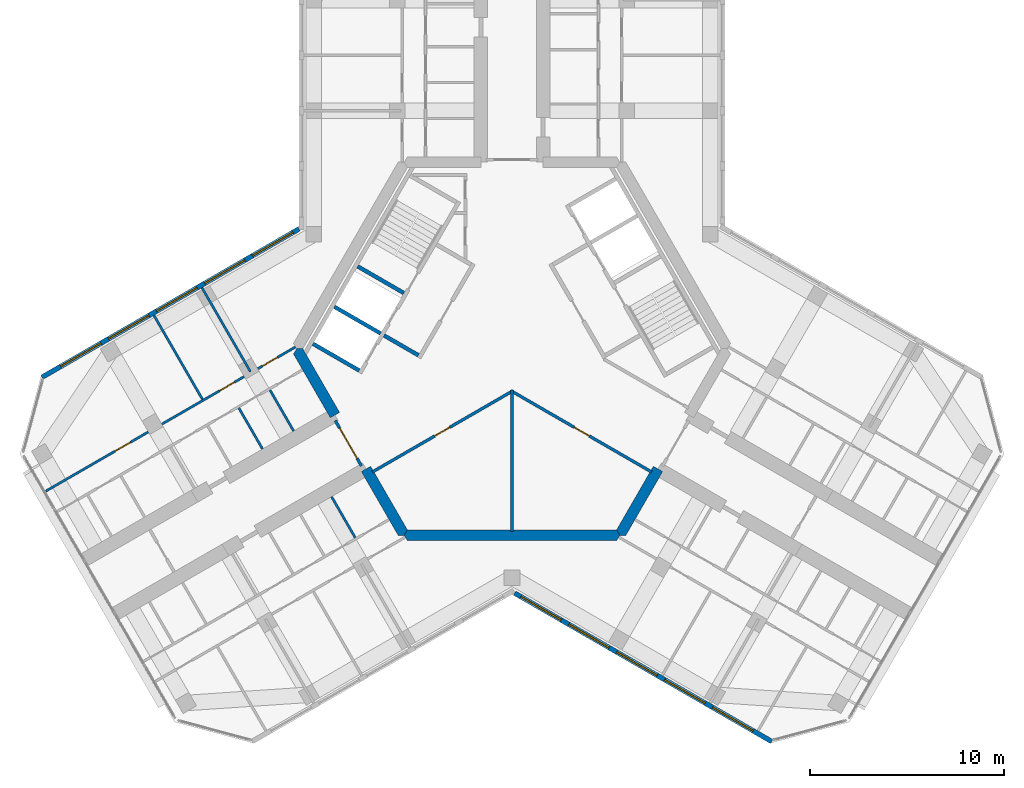
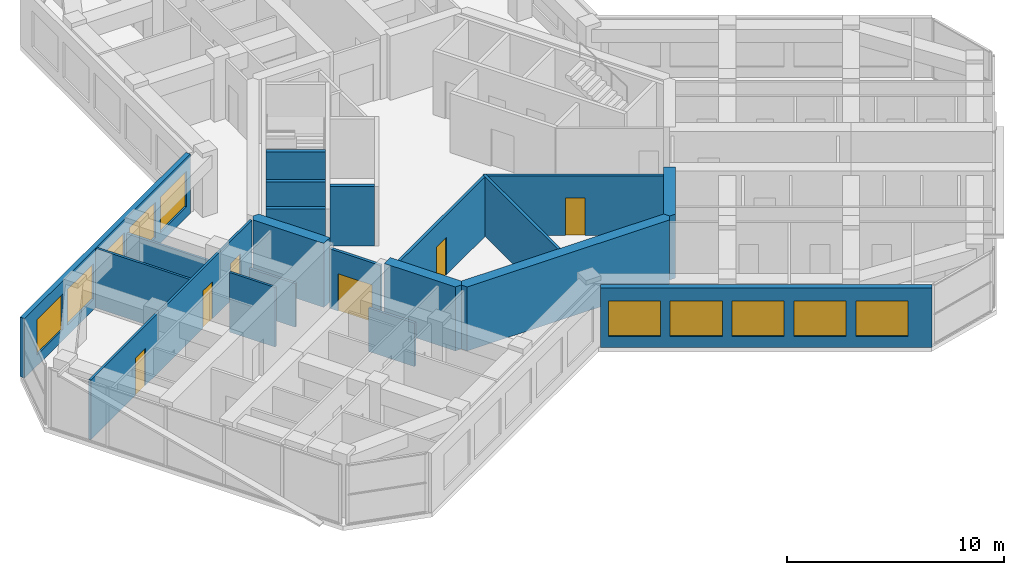
# One storey, part 8 of 14: 20 walls, 10 windows, 6 doors, 16 openings.
"""IFC4 building model written with IfcOpenShell, lengths in metres."""

from ifc_helpers import new_model, si_unit, direction, frame, frame_2d, origin, place, context, subcontext, project, spatial, polyline, rectangle, outline, extrude, material, layer, layer_set, type_object, element, fill, save


model = new_model("IFC4")

# Units and contexts
model_context = context("Model", 3, precision=1e-05, world=origin(), true_north=direction((0.0, 1.0)))
body_context = subcontext(model_context, "Body", "Model", "MODEL_VIEW")
ifc_project = project(units=[si_unit("LENGTHUNIT", "METRE"), si_unit("AREAUNIT", "SQUARE_METRE"), si_unit("VOLUMEUNIT", "CUBIC_METRE"), si_unit("PLANEANGLEUNIT", "RADIAN"), si_unit("MASSUNIT", "GRAM", prefix="KILO")], contexts=[model_context])

# Site, building, storey
site_placement = place(None, origin())
site = spatial("IfcSite", under=ifc_project, at=site_placement, CompositionType="ELEMENT")
building_placement = place(site_placement, origin())
building = spatial("IfcBuilding", under=site, at=building_placement, Name="Kosmar Iwan School Tower", CompositionType="ELEMENT")
storey_placement = place(building_placement, frame((0.0, 0.0, 274.60009765625)))
storey = spatial("IfcBuildingStorey", under=building, at=storey_placement, Name="L69", CompositionType="ELEMENT", Elevation=274.60009765625)

# Wall
ifc_material_1 = material(Name="Gypsum board on steel studs, fire-rated", Category="steel")
ifc_layer_1 = layer(ifc_material_1, 0.14990234375)
ifc_layer_set_1 = layer_set([ifc_layer_1], Name="Core room partition 150")
wall_type_1 = type_object("IfcWallType", Name="Core room partition 150", PredefinedType="PARTITIONING", material=ifc_layer_set_1)
wall_1_placement = place(storey_placement, frame((0.0, -9.39501953125, 0.0), z_axis=(0.0, 0.0, 1.0), x_axis=(0.0, 1.0, 0.0)))
element("IfcWall", 1, at=wall_1_placement, inside=storey, type_object=wall_type_1, Name="Core room partition L69-CW5", PredefinedType="PARTITIONING", context=body_context, shape_type="SweptSolid", body=[
    extrude(rectangle(XDim=7.276123046875, YDim=0.14990234375, at=frame_2d((3.63818359375, 0.0))), origin(), (0.0, 0.0, 1.0), 3.349853515625),
])

# Wall, opening, door
wall_2_placement = place(storey_placement, frame((-0.06494140625, -2.156494140625, 0.0), z_axis=(0.0, 0.0, 1.0), x_axis=(0.866023893041, -0.500002616675, 0.0)))
wall_2 = element("IfcWall", 2, at=wall_2_placement, inside=storey, type_object=wall_type_1, Name="Core room partition L69-CW6", PredefinedType="PARTITIONING", context=body_context, shape_type="SweptSolid", body=[
    extrude(rectangle(XDim=8.373046875, YDim=0.14990234375, at=frame_2d((4.1865234375, 0.0))), origin(), (0.0, 0.0, 1.0), 3.349853515625),
])
opening_1_placement = place(wall_2_placement, frame((3.77197265625, 0.0, 0.0)))
opening_1 = element("IfcOpeningElement", 3, at=opening_1_placement, cuts=wall_2, Name="Opening D14", PredefinedType="OPENING", context=body_context, shape_type="SweptSolid", body=[
    extrude(rectangle(XDim=0.89990234375, YDim=2.10009765625, at=frame_2d((0.449951171875, 1.050048828125))), frame((0.0, 0.0869140625, 0.0), z_axis=(0.0, -1.0, 0.0), x_axis=(1.0, 0.0, 0.0)), (0.0, 0.0, 1.0), 0.173828125),
])
ifc_material_2 = material(Name="Timber fire door in steel frame", Category="steel")
door_type_1 = type_object("IfcDoorType", Name="Core room door 900x2100", OperationType="SINGLE_SWING_LEFT", PredefinedType="DOOR", material=ifc_material_2)
door_1_placement = place(opening_1_placement, origin())
door_1 = element("IfcDoor", 4, at=door_1_placement, inside=storey, type_object=door_type_1, Name="Residents' laundry room door L69 3", OperationType="SINGLE_SWING_RIGHT", OverallHeight=2.10009765625, OverallWidth=0.89990234375, PredefinedType="DOOR", context=body_context, shape_type="SweptSolid", body=[
    extrude(rectangle(XDim=0.89990234375, YDim=2.10009765625, at=frame_2d((0.449951171875, 1.050048828125))), frame((0.0, 0.02490234375, 0.0), z_axis=(0.0, -1.0, 0.0), x_axis=(1.0, 0.0, 0.0)), (0.0, 0.0, 1.0), 0.050048828125),
])
fill(opening_1, door_1)

wall_3_placement = place(storey_placement, frame((-7.186279296875, -6.343017578125, 0.0), z_axis=(0.0, 0.0, 1.0), x_axis=(0.866023893041, 0.500002616675, 0.0)))
wall_3 = element("IfcWall", 5, at=wall_3_placement, inside=storey, type_object=wall_type_1, Name="Core room partition L69-CW7", PredefinedType="PARTITIONING", context=body_context, shape_type="SweptSolid", body=[
    extrude(rectangle(XDim=8.373046875, YDim=0.14990234375, at=frame_2d((4.1865234375, 0.0))), origin(), (0.0, 0.0, 1.0), 3.349853515625),
])
opening_2_placement = place(wall_3_placement, frame((3.701904296875, 0.0, 0.0)))
opening_2 = element("IfcOpeningElement", 6, at=opening_2_placement, cuts=wall_3, Name="Opening D14", PredefinedType="OPENING", context=body_context, shape_type="SweptSolid", body=[
    extrude(rectangle(XDim=0.89990234375, YDim=2.10009765625, at=frame_2d((0.449951171875, 1.050048828125))), frame((0.0, 0.0869140625, 0.0), z_axis=(0.0, -1.0, 0.0), x_axis=(1.0, 0.0, 0.0)), (0.0, 0.0, 1.0), 0.173828125),
])
door_2_placement = place(opening_2_placement, origin())
door_2 = element("IfcDoor", 7, at=door_2_placement, inside=storey, type_object=door_type_1, Name="Bicycle repair room door L69 4", OperationType="SINGLE_SWING_LEFT", OverallHeight=2.10009765625, OverallWidth=0.89990234375, PredefinedType="DOOR", context=body_context, shape_type="SweptSolid", body=[
    extrude(rectangle(XDim=0.89990234375, YDim=2.10009765625, at=frame_2d((0.449951171875, 1.050048828125))), frame((0.0, 0.02490234375, 0.0), z_axis=(0.0, -1.0, 0.0), x_axis=(1.0, 0.0, 0.0)), (0.0, 0.0, 1.0), 0.050048828125),
])
fill(opening_2, door_2)

# Walls
ifc_material_3 = material(Name="Concrete C50/60", Category="concrete")
ifc_layer_2 = layer(ifc_material_3, 0.550048828125)
ifc_layer_set_2 = layer_set([ifc_layer_2], Name="Core wall 550")
wall_type_2 = type_object("IfcWallType", Name="Core wall 550", PredefinedType="SHEAR", material=ifc_layer_set_2)
wall_4_placement = place(storey_placement, origin())
element("IfcWall", 8, at=wall_4_placement, inside=storey, type_object=wall_type_2, Name="Core wall F210a", PredefinedType="SHEAR", context=body_context, shape_type="SweptSolid", body=[
    extrude(outline(polyline([(-9.35205078125, -3.5517578125), (-8.875732421875, -3.27685546875), (-10.767578125, 0.0), (-11.085205078125, 0.0), (-11.243896484375, -0.27490234375), (-9.35205078125, -3.5517578125)])), origin(), (0.0, 0.0, 1.0), 3.599853515625),
])
wall_5_placement = place(storey_placement, origin())
element("IfcWall", 9, at=wall_5_placement, inside=storey, type_object=wall_type_2, Name="Core wall F210b", PredefinedType="SHEAR", context=body_context, shape_type="SweptSolid", body=[
    extrude(outline(polyline([(-5.860107421875, -9.60009765625), (-5.54248046875, -9.60009765625), (-5.3837890625, -9.324951171875), (-7.275634765625, -6.048095703125), (-7.751953125, -6.3232421875), (-5.860107421875, -9.60009765625)])), origin(), (0.0, 0.0, 1.0), 3.599853515625),
])
wall_6_placement = place(storey_placement, origin())
element("IfcWall", 10, at=wall_6_placement, inside=storey, type_object=wall_type_2, Name="Core wall F270", PredefinedType="SHEAR", context=body_context, shape_type="SweptSolid", body=[
    extrude(outline(polyline([(-5.3837890625, -9.875), (5.3837890625, -9.875), (5.54248046875, -9.60009765625), (5.3837890625, -9.324951171875), (-5.3837890625, -9.324951171875), (-5.54248046875, -9.60009765625), (-5.3837890625, -9.875)])), origin(), (0.0, 0.0, 1.0), 3.599853515625),
])
wall_7_placement = place(storey_placement, origin())
element("IfcWall", 11, at=wall_7_placement, inside=storey, type_object=wall_type_2, Name="Core wall F330a", PredefinedType="SHEAR", context=body_context, shape_type="SweptSolid", body=[
    extrude(outline(polyline([(5.54248046875, -9.60009765625), (5.860107421875, -9.60009765625), (7.751953125, -6.3232421875), (7.275634765625, -6.048095703125), (5.3837890625, -9.324951171875), (5.54248046875, -9.60009765625)])), origin(), (0.0, 0.0, 1.0), 3.599853515625),
])

# Wall, opening, door
ifc_material_4 = material(Name="Steel framed glazed screen", Category="steel")
ifc_layer_3 = layer(ifc_material_4, 0.14990234375)
ifc_layer_set_3 = layer_set([ifc_layer_3], Name="Corridor screen wall 150")
wall_type_3 = type_object("IfcWallType", Name="Corridor screen wall 150", PredefinedType="PARTITIONING", material=ifc_layer_set_3)
wall_8_placement = place(storey_placement, frame((-9.09716796875, -3.693359375, 0.0), z_axis=(0.0, 0.0, 1.0), x_axis=(0.50000943426, -0.866019956843, 0.0)))
wall_8 = element("IfcWall", 12, at=wall_8_placement, inside=storey, type_object=wall_type_3, Name="Corridor screen B L69", PredefinedType="PARTITIONING", context=body_context, shape_type="SweptSolid", body=[
    extrude(rectangle(XDim=2.7001953125, YDim=0.14990234375, at=frame_2d((1.35009765625, 0.0))), origin(), (0.0, 0.0, 1.0), 3.349853515625),
])
opening_3_placement = place(wall_8_placement, frame((0.449951171875, 0.0, 0.0)))
opening_3 = element("IfcOpeningElement", 13, at=opening_3_placement, cuts=wall_8, Name="Opening D9", PredefinedType="OPENING", context=body_context, shape_type="SweptSolid", body=[
    extrude(rectangle(XDim=1.800048828125, YDim=2.10009765625, at=frame_2d((0.89990234375, 1.050048828125))), frame((0.0, 0.0869140625, 0.0), z_axis=(0.0, -1.0, 0.0), x_axis=(1.0, 0.0, 0.0)), (0.0, 0.0, 1.0), 0.173828125),
])
ifc_material_5 = material(Name="Steel framed glazed smoke door", Category="steel")
door_type_2 = type_object("IfcDoorType", Name="Corridor smoke door pair 1800x2100", OperationType="DOUBLE_DOOR_DOUBLE_SWING", PredefinedType="DOOR", material=ifc_material_5)
door_3_placement = place(opening_3_placement, origin())
door_3 = element("IfcDoor", 14, at=door_3_placement, inside=storey, type_object=door_type_2, Name="Corridor doors B L69", OperationType="DOUBLE_DOOR_DOUBLE_SWING", OverallHeight=2.10009765625, OverallWidth=1.800048828125, PredefinedType="DOOR", context=body_context, shape_type="SweptSolid", body=[
    extrude(rectangle(XDim=1.800048828125, YDim=2.10009765625, at=frame_2d((0.89990234375, 1.050048828125))), frame((0.0, 0.02490234375, 0.0), z_axis=(0.0, -1.0, 0.0), x_axis=(1.0, 0.0, 0.0)), (0.0, 0.0, 1.0), 0.050048828125),
])
fill(opening_3, door_3)

# Wall
ifc_material_6 = material(Name="Gypsum board on steel studs", Category="steel")
ifc_layer_4 = layer(ifc_material_6, 0.1201171875)
ifc_layer_set_4 = layer_set([ifc_layer_4], Name="Dwelling partition 120")
wall_type_4 = type_object("IfcWallType", Name="Dwelling partition 120", PredefinedType="PARTITIONING", material=ifc_layer_set_4)
wall_9_placement = place(storey_placement, frame((-9.287353515625, -7.61376953125, 0.0), z_axis=(0.0, 0.0, 1.0), x_axis=(0.500002508028, -0.866023955769, 0.0)))
element("IfcWall", 15, at=wall_9_placement, inside=storey, type_object=wall_type_4, Name="Partition L69-BL1-Y1", PredefinedType="PARTITIONING", context=body_context, shape_type="SweptSolid", body=[
    extrude(rectangle(XDim=2.43994140625, YDim=0.1201171875, at=frame_2d((1.219970703125, 0.0))), origin(), (0.0, 0.0, 1.0), 2.449951171875),
])

# Wall, openings, doors
wall_10_placement = place(storey_placement, frame((-11.138916015625, 0.093017578125, 0.0), z_axis=(0.0, 0.0, 1.0), x_axis=(-0.866030301974, -0.499991515992, 0.0)))
wall_10 = element("IfcWall", 16, at=wall_10_placement, inside=storey, type_object=wall_type_4, Name="Partition L69-BR1-W2", PredefinedType="PARTITIONING", context=body_context, shape_type="SweptSolid", body=[
    extrude(rectangle(XDim=14.844970703125, YDim=0.1201171875, at=frame_2d((7.42236328125, 0.0))), origin(), (0.0, 0.0, 1.0), 3.349853515625),
])
opening_4_placement = place(wall_10_placement, frame((1.074951171875, 0.0, 0.0)))
opening_4 = element("IfcOpeningElement", 17, at=opening_4_placement, cuts=wall_10, Name="Opening D2", PredefinedType="OPENING", context=body_context, shape_type="SweptSolid", body=[
    extrude(rectangle(XDim=0.89990234375, YDim=2.10009765625, at=frame_2d((0.449951171875, 1.050048828125))), frame((0.0, 0.072021484375, 0.0), z_axis=(0.0, -1.0, 0.0), x_axis=(1.0, 0.0, 0.0)), (0.0, 0.0, 1.0), 0.14404296875),
])
opening_5_placement = place(wall_10_placement, frame((3.625, 0.0, 0.0)))
opening_5 = element("IfcOpeningElement", 18, at=opening_5_placement, cuts=wall_10, Name="Opening D2", PredefinedType="OPENING", context=body_context, shape_type="SweptSolid", body=[
    extrude(rectangle(XDim=0.89990234375, YDim=2.10009765625, at=frame_2d((0.449951171875, 1.050048828125))), frame((0.0, 0.072021484375, 0.0), z_axis=(0.0, -1.0, 0.0), x_axis=(1.0, 0.0, 0.0)), (0.0, 0.0, 1.0), 0.14404296875),
])
opening_6_placement = place(wall_10_placement, frame((9.824951171875, 0.0, 0.0)))
opening_6 = element("IfcOpeningElement", 19, at=opening_6_placement, cuts=wall_10, Name="Opening D2", PredefinedType="OPENING", context=body_context, shape_type="SweptSolid", body=[
    extrude(rectangle(XDim=0.89990234375, YDim=2.10009765625, at=frame_2d((0.449951171875, 1.050048828125))), frame((0.0, 0.072021484375, 0.0), z_axis=(0.0, -1.0, 0.0), x_axis=(1.0, 0.0, 0.0)), (0.0, 0.0, 1.0), 0.14404296875),
])
ifc_material_7 = material(Name="Timber door in timber frame", Category="wood")
door_type_3 = type_object("IfcDoorType", Name="Internal door 900x2100", OperationType="SINGLE_SWING_LEFT", PredefinedType="DOOR", material=ifc_material_7)
door_4_placement = place(opening_4_placement, origin())
door_4 = element("IfcDoor", 20, at=door_4_placement, inside=storey, type_object=door_type_3, Name="Bedroom 1 door L69-BR1-F1", OperationType="SINGLE_SWING_LEFT", OverallHeight=2.10009765625, OverallWidth=0.89990234375, PredefinedType="DOOR", context=body_context, shape_type="SweptSolid", body=[
    extrude(rectangle(XDim=0.89990234375, YDim=2.10009765625, at=frame_2d((0.449951171875, 1.050048828125))), frame((0.0, 0.02490234375, 0.0), z_axis=(0.0, -1.0, 0.0), x_axis=(1.0, 0.0, 0.0)), (0.0, 0.0, 1.0), 0.050048828125),
])
fill(opening_4, door_4)
door_5_placement = place(opening_5_placement, origin())
door_5 = element("IfcDoor", 21, at=door_5_placement, inside=storey, type_object=door_type_3, Name="Study door L69-BR1-F2", OperationType="SINGLE_SWING_LEFT", OverallHeight=2.10009765625, OverallWidth=0.89990234375, PredefinedType="DOOR", context=body_context, shape_type="SweptSolid", body=[
    extrude(rectangle(XDim=0.89990234375, YDim=2.10009765625, at=frame_2d((0.449951171875, 1.050048828125))), frame((0.0, 0.02490234375, 0.0), z_axis=(0.0, -1.0, 0.0), x_axis=(1.0, 0.0, 0.0)), (0.0, 0.0, 1.0), 0.050048828125),
])
fill(opening_5, door_5)
door_6_placement = place(opening_6_placement, origin())
door_6 = element("IfcDoor", 22, at=door_6_placement, inside=storey, type_object=door_type_3, Name="Living room and kitchen door L69-BR1-F3", OperationType="SINGLE_SWING_RIGHT", OverallHeight=2.10009765625, OverallWidth=0.89990234375, PredefinedType="DOOR", context=body_context, shape_type="SweptSolid", body=[
    extrude(rectangle(XDim=0.89990234375, YDim=2.10009765625, at=frame_2d((0.449951171875, 1.050048828125))), frame((0.0, 0.02490234375, 0.0), z_axis=(0.0, -1.0, 0.0), x_axis=(1.0, 0.0, 0.0)), (0.0, 0.0, 1.0), 0.050048828125),
])
fill(opening_6, door_6)

# Walls
wall_11_placement = place(storey_placement, frame((-13.4638671875, -1.179931640625, 0.0), z_axis=(0.0, 0.0, 1.0), x_axis=(-0.499975153383, 0.86603974851, 0.0)))
element("IfcWall", 23, at=wall_11_placement, inside=storey, type_object=wall_type_4, Name="Partition L69-BR1-X1", PredefinedType="PARTITIONING", context=body_context, shape_type="SweptSolid", body=[
    extrude(rectangle(XDim=4.989990234375, YDim=0.1201171875, at=frame_2d((2.4951171875, 0.0))), origin(), (0.0, 0.0, 1.0), 2.449951171875),
])
wall_12_placement = place(storey_placement, frame((-15.931884765625, -2.60498046875, 0.0), z_axis=(0.0, 0.0, 1.0), x_axis=(-0.500011847778, 0.866018563358, 0.0)))
element("IfcWall", 24, at=wall_12_placement, inside=storey, type_object=wall_type_4, Name="Partition L69-BR1-X2", PredefinedType="PARTITIONING", context=body_context, shape_type="SweptSolid", body=[
    extrude(rectangle(XDim=4.990234375, YDim=0.1201171875, at=frame_2d((2.4951171875, 0.0))), origin(), (0.0, 0.0, 1.0), 3.349853515625),
])
wall_13_placement = place(storey_placement, frame((-11.2373046875, -4.236328125, 0.0), z_axis=(0.0, 0.0, 1.0), x_axis=(-0.500034220881, 0.866005645448, 0.0)))
element("IfcWall", 25, at=wall_13_placement, inside=storey, type_object=wall_type_4, Name="Partition L69-BR1-Y1", PredefinedType="PARTITIONING", context=body_context, shape_type="SweptSolid", body=[
    extrude(rectangle(XDim=2.440185546875, YDim=0.1201171875, at=frame_2d((1.22021484375, 0.0))), origin(), (0.0, 0.0, 1.0), 2.449951171875),
])
wall_14_placement = place(storey_placement, frame((-12.839599609375, -5.161376953125, 0.0), z_axis=(0.0, 0.0, 1.0), x_axis=(-0.499959183527, 0.866048967903, 0.0)))
element("IfcWall", 26, at=wall_14_placement, inside=storey, type_object=wall_type_4, Name="Partition L69-BR1-Y2", PredefinedType="PARTITIONING", context=body_context, shape_type="SweptSolid", body=[
    extrude(rectangle(XDim=2.440185546875, YDim=0.1201171875, at=frame_2d((1.22021484375, 0.0))), origin(), (0.0, 0.0, 1.0), 3.349853515625),
])

# Wall, openings, windows
ifc_material_8 = material(Name="Black aluminium rainscreen on insulated framing", Category="aluminium")
ifc_layer_5 = layer(ifc_material_8, 0.25)
ifc_layer_set_5 = layer_set([ifc_layer_5], Name="External wall rainscreen 250")
wall_type_5 = type_object("IfcWallType", Name="External wall rainscreen 250", PredefinedType="SOLIDWALL", material=ifc_layer_set_5)
wall_15_placement = place(storey_placement, frame((0.137939453125, -12.5791015625, 0.0), z_axis=(0.0, 0.0, 1.0), x_axis=(0.866025637253, -0.499999595621, 0.0)))
wall_15 = element("IfcWall", 27, at=wall_15_placement, inside=storey, type_object=wall_type_5, Name="External wall CR L69", PredefinedType="SOLIDWALL", context=body_context, shape_type="SweptSolid", body=[
    extrude(rectangle(XDim=15.2763671875, YDim=0.25, at=frame_2d((7.63818359375, 0.0))), origin(), (0.0, 0.0, 1.0), 3.349853515625),
])
opening_7_placement = place(wall_15_placement, frame((0.365966796875, 0.0, 0.60009765625)))
opening_7 = element("IfcOpeningElement", 28, at=opening_7_placement, cuts=wall_15, Name="Opening W6", PredefinedType="OPENING", context=body_context, shape_type="SweptSolid", body=[
    extrude(rectangle(XDim=2.39990234375, YDim=2.0, at=frame_2d((1.199951171875, 1.0))), frame((0.0, 0.136962890625, 0.0), z_axis=(0.0, -1.0, 0.0), x_axis=(1.0, 0.0, 0.0)), (0.0, 0.0, 1.0), 0.27392578125),
])
opening_8_placement = place(wall_15_placement, frame((3.216064453125, 0.0, 0.60009765625)))
opening_8 = element("IfcOpeningElement", 29, at=opening_8_placement, cuts=wall_15, Name="Opening W6", PredefinedType="OPENING", context=body_context, shape_type="SweptSolid", body=[
    extrude(rectangle(XDim=2.39990234375, YDim=2.0, at=frame_2d((1.199951171875, 1.0))), frame((0.0, 0.136962890625, 0.0), z_axis=(0.0, -1.0, 0.0), x_axis=(1.0, 0.0, 0.0)), (0.0, 0.0, 1.0), 0.27392578125),
])
opening_9_placement = place(wall_15_placement, frame((6.06591796875, 0.0, 0.60009765625)))
opening_9 = element("IfcOpeningElement", 30, at=opening_9_placement, cuts=wall_15, Name="Opening W6", PredefinedType="OPENING", context=body_context, shape_type="SweptSolid", body=[
    extrude(rectangle(XDim=2.39990234375, YDim=2.0, at=frame_2d((1.199951171875, 1.0))), frame((0.0, 0.136962890625, 0.0), z_axis=(0.0, -1.0, 0.0), x_axis=(1.0, 0.0, 0.0)), (0.0, 0.0, 1.0), 0.27392578125),
])
opening_10_placement = place(wall_15_placement, frame((8.916015625, 0.0, 0.60009765625)))
opening_10 = element("IfcOpeningElement", 31, at=opening_10_placement, cuts=wall_15, Name="Opening W6", PredefinedType="OPENING", context=body_context, shape_type="SweptSolid", body=[
    extrude(rectangle(XDim=2.39990234375, YDim=2.0, at=frame_2d((1.199951171875, 1.0))), frame((0.0, 0.136962890625, 0.0), z_axis=(0.0, -1.0, 0.0), x_axis=(1.0, 0.0, 0.0)), (0.0, 0.0, 1.0), 0.27392578125),
])
opening_11_placement = place(wall_15_placement, frame((11.76611328125, 0.0, 0.60009765625)))
opening_11 = element("IfcOpeningElement", 32, at=opening_11_placement, cuts=wall_15, Name="Opening W6", PredefinedType="OPENING", context=body_context, shape_type="SweptSolid", body=[
    extrude(rectangle(XDim=2.39990234375, YDim=2.0, at=frame_2d((1.199951171875, 1.0))), frame((0.0, 0.136962890625, 0.0), z_axis=(0.0, -1.0, 0.0), x_axis=(1.0, 0.0, 0.0)), (0.0, 0.0, 1.0), 0.27392578125),
])
ifc_material_9 = material(Name="Black aluminium frame with dark triple glazing", Category="aluminium")
window_type = type_object("IfcWindowType", Name="Window 2400x2000", PartitioningType="SINGLE_PANEL", PredefinedType="WINDOW", material=ifc_material_9)
window_1_placement = place(opening_7_placement, origin())
window_1 = element("IfcWindow", 33, at=window_1_placement, inside=storey, type_object=window_type, Name="Window CR L69 -1", OverallHeight=2.0, OverallWidth=2.39990234375, PartitioningType="SINGLE_PANEL", PredefinedType="WINDOW", context=body_context, shape_type="SweptSolid", body=[
    extrude(rectangle(XDim=2.39990234375, YDim=2.0, at=frame_2d((1.199951171875, 1.0))), frame((0.0, 0.030029296875, 0.0), z_axis=(0.0, -1.0, 0.0), x_axis=(1.0, 0.0, 0.0)), (0.0, 0.0, 1.0), 0.06005859375),
])
fill(opening_7, window_1)
window_2_placement = place(opening_8_placement, origin())
window_2 = element("IfcWindow", 34, at=window_2_placement, inside=storey, type_object=window_type, Name="Window CR L69 0", OverallHeight=2.0, OverallWidth=2.39990234375, PartitioningType="SINGLE_PANEL", PredefinedType="WINDOW", context=body_context, shape_type="SweptSolid", body=[
    extrude(rectangle(XDim=2.39990234375, YDim=2.0, at=frame_2d((1.199951171875, 1.0))), frame((0.0, 0.030029296875, 0.0), z_axis=(0.0, -1.0, 0.0), x_axis=(1.0, 0.0, 0.0)), (0.0, 0.0, 1.0), 0.06005859375),
])
fill(opening_8, window_2)
window_3_placement = place(opening_9_placement, origin())
window_3 = element("IfcWindow", 35, at=window_3_placement, inside=storey, type_object=window_type, Name="Window CR L69 1", OverallHeight=2.0, OverallWidth=2.39990234375, PartitioningType="SINGLE_PANEL", PredefinedType="WINDOW", context=body_context, shape_type="SweptSolid", body=[
    extrude(rectangle(XDim=2.39990234375, YDim=2.0, at=frame_2d((1.199951171875, 1.0))), frame((0.0, 0.030029296875, 0.0), z_axis=(0.0, -1.0, 0.0), x_axis=(1.0, 0.0, 0.0)), (0.0, 0.0, 1.0), 0.06005859375),
])
fill(opening_9, window_3)
window_4_placement = place(opening_10_placement, origin())
window_4 = element("IfcWindow", 36, at=window_4_placement, inside=storey, type_object=window_type, Name="Window CR L69 2", OverallHeight=2.0, OverallWidth=2.39990234375, PartitioningType="SINGLE_PANEL", PredefinedType="WINDOW", context=body_context, shape_type="SweptSolid", body=[
    extrude(rectangle(XDim=2.39990234375, YDim=2.0, at=frame_2d((1.199951171875, 1.0))), frame((0.0, 0.030029296875, 0.0), z_axis=(0.0, -1.0, 0.0), x_axis=(1.0, 0.0, 0.0)), (0.0, 0.0, 1.0), 0.06005859375),
])
fill(opening_10, window_4)
window_5_placement = place(opening_11_placement, origin())
window_5 = element("IfcWindow", 37, at=window_5_placement, inside=storey, type_object=window_type, Name="Window CR L69 3", OverallHeight=2.0, OverallWidth=2.39990234375, PartitioningType="SINGLE_PANEL", PredefinedType="WINDOW", context=body_context, shape_type="SweptSolid", body=[
    extrude(rectangle(XDim=2.39990234375, YDim=2.0, at=frame_2d((1.199951171875, 1.0))), frame((0.0, 0.030029296875, 0.0), z_axis=(0.0, -1.0, 0.0), x_axis=(1.0, 0.0, 0.0)), (0.0, 0.0, 1.0), 0.06005859375),
])
fill(opening_11, window_5)

wall_16_placement = place(storey_placement, frame((-10.962890625, 6.170166015625, 0.0), z_axis=(0.0, 0.0, 1.0), x_axis=(-0.866025637253, -0.499999595621, 0.0)))
wall_16 = element("IfcWall", 38, at=wall_16_placement, inside=storey, type_object=wall_type_5, Name="External wall BR L69", PredefinedType="SOLIDWALL", context=body_context, shape_type="SweptSolid", body=[
    extrude(rectangle(XDim=15.2763671875, YDim=0.25, at=frame_2d((7.63818359375, 0.0))), origin(), (0.0, 0.0, 1.0), 3.349853515625),
])
opening_12_placement = place(wall_16_placement, frame((0.365966796875, 0.0, 0.60009765625)))
opening_12 = element("IfcOpeningElement", 39, at=opening_12_placement, cuts=wall_16, Name="Opening W6", PredefinedType="OPENING", context=body_context, shape_type="SweptSolid", body=[
    extrude(rectangle(XDim=2.39990234375, YDim=2.0, at=frame_2d((1.199951171875, 1.0))), frame((0.0, 0.136962890625, 0.0), z_axis=(0.0, -1.0, 0.0), x_axis=(1.0, 0.0, 0.0)), (0.0, 0.0, 1.0), 0.27392578125),
])
opening_13_placement = place(wall_16_placement, frame((3.216064453125, 0.0, 0.60009765625)))
opening_13 = element("IfcOpeningElement", 40, at=opening_13_placement, cuts=wall_16, Name="Opening W6", PredefinedType="OPENING", context=body_context, shape_type="SweptSolid", body=[
    extrude(rectangle(XDim=2.39990234375, YDim=2.0, at=frame_2d((1.199951171875, 1.0))), frame((0.0, 0.136962890625, 0.0), z_axis=(0.0, -1.0, 0.0), x_axis=(1.0, 0.0, 0.0)), (0.0, 0.0, 1.0), 0.27392578125),
])
opening_14_placement = place(wall_16_placement, frame((6.06591796875, 0.0, 0.60009765625)))
opening_14 = element("IfcOpeningElement", 41, at=opening_14_placement, cuts=wall_16, Name="Opening W6", PredefinedType="OPENING", context=body_context, shape_type="SweptSolid", body=[
    extrude(rectangle(XDim=2.39990234375, YDim=2.0, at=frame_2d((1.199951171875, 1.0))), frame((0.0, 0.136962890625, 0.0), z_axis=(0.0, -1.0, 0.0), x_axis=(1.0, 0.0, 0.0)), (0.0, 0.0, 1.0), 0.27392578125),
])
opening_15_placement = place(wall_16_placement, frame((8.916015625, 0.0, 0.60009765625)))
opening_15 = element("IfcOpeningElement", 42, at=opening_15_placement, cuts=wall_16, Name="Opening W6", PredefinedType="OPENING", context=body_context, shape_type="SweptSolid", body=[
    extrude(rectangle(XDim=2.39990234375, YDim=2.0, at=frame_2d((1.199951171875, 1.0))), frame((0.0, 0.136962890625, 0.0), z_axis=(0.0, -1.0, 0.0), x_axis=(1.0, 0.0, 0.0)), (0.0, 0.0, 1.0), 0.27392578125),
])
opening_16_placement = place(wall_16_placement, frame((11.76611328125, 0.0, 0.60009765625)))
opening_16 = element("IfcOpeningElement", 43, at=opening_16_placement, cuts=wall_16, Name="Opening W6", PredefinedType="OPENING", context=body_context, shape_type="SweptSolid", body=[
    extrude(rectangle(XDim=2.39990234375, YDim=2.0, at=frame_2d((1.199951171875, 1.0))), frame((0.0, 0.136962890625, 0.0), z_axis=(0.0, -1.0, 0.0), x_axis=(1.0, 0.0, 0.0)), (0.0, 0.0, 1.0), 0.27392578125),
])
window_6_placement = place(opening_12_placement, origin())
window_6 = element("IfcWindow", 44, at=window_6_placement, inside=storey, type_object=window_type, Name="Window BR L69 -1", OverallHeight=2.0, OverallWidth=2.39990234375, PartitioningType="SINGLE_PANEL", PredefinedType="WINDOW", context=body_context, shape_type="SweptSolid", body=[
    extrude(rectangle(XDim=2.39990234375, YDim=2.0, at=frame_2d((1.199951171875, 1.0))), frame((0.0, 0.030029296875, 0.0), z_axis=(0.0, -1.0, 0.0), x_axis=(1.0, 0.0, 0.0)), (0.0, 0.0, 1.0), 0.06005859375),
])
fill(opening_12, window_6)
window_7_placement = place(opening_13_placement, origin())
window_7 = element("IfcWindow", 45, at=window_7_placement, inside=storey, type_object=window_type, Name="Window BR L69 0", OverallHeight=2.0, OverallWidth=2.39990234375, PartitioningType="SINGLE_PANEL", PredefinedType="WINDOW", context=body_context, shape_type="SweptSolid", body=[
    extrude(rectangle(XDim=2.39990234375, YDim=2.0, at=frame_2d((1.199951171875, 1.0))), frame((0.0, 0.030029296875, 0.0), z_axis=(0.0, -1.0, 0.0), x_axis=(1.0, 0.0, 0.0)), (0.0, 0.0, 1.0), 0.06005859375),
])
fill(opening_13, window_7)
window_8_placement = place(opening_14_placement, origin())
window_8 = element("IfcWindow", 46, at=window_8_placement, inside=storey, type_object=window_type, Name="Window BR L69 1", OverallHeight=2.0, OverallWidth=2.39990234375, PartitioningType="SINGLE_PANEL", PredefinedType="WINDOW", context=body_context, shape_type="SweptSolid", body=[
    extrude(rectangle(XDim=2.39990234375, YDim=2.0, at=frame_2d((1.199951171875, 1.0))), frame((0.0, 0.030029296875, 0.0), z_axis=(0.0, -1.0, 0.0), x_axis=(1.0, 0.0, 0.0)), (0.0, 0.0, 1.0), 0.06005859375),
])
fill(opening_14, window_8)
window_9_placement = place(opening_15_placement, origin())
window_9 = element("IfcWindow", 47, at=window_9_placement, inside=storey, type_object=window_type, Name="Window BR L69 2", OverallHeight=2.0, OverallWidth=2.39990234375, PartitioningType="SINGLE_PANEL", PredefinedType="WINDOW", context=body_context, shape_type="SweptSolid", body=[
    extrude(rectangle(XDim=2.39990234375, YDim=2.0, at=frame_2d((1.199951171875, 1.0))), frame((0.0, 0.030029296875, 0.0), z_axis=(0.0, -1.0, 0.0), x_axis=(1.0, 0.0, 0.0)), (0.0, 0.0, 1.0), 0.06005859375),
])
fill(opening_15, window_9)
window_10_placement = place(opening_16_placement, origin())
window_10 = element("IfcWindow", 48, at=window_10_placement, inside=storey, type_object=window_type, Name="Window BR L69 3", OverallHeight=2.0, OverallWidth=2.39990234375, PartitioningType="SINGLE_PANEL", PredefinedType="WINDOW", context=body_context, shape_type="SweptSolid", body=[
    extrude(rectangle(XDim=2.39990234375, YDim=2.0, at=frame_2d((1.199951171875, 1.0))), frame((0.0, 0.030029296875, 0.0), z_axis=(0.0, -1.0, 0.0), x_axis=(1.0, 0.0, 0.0)), (0.0, 0.0, 1.0), 0.06005859375),
])
fill(opening_16, window_10)

# Walls
ifc_material_10 = material(Name="Concrete block masonry", Category="masonry")
ifc_layer_6 = layer(ifc_material_10, 0.199951171875)
ifc_layer_set_6 = layer_set([ifc_layer_6], Name="Fire lobby wall 200")
wall_type_6 = type_object("IfcWallType", Name="Fire lobby wall 200", PredefinedType="PARTITIONING", material=ifc_layer_set_6)
wall_17_placement = place(storey_placement, frame((-4.814208984375, -0.33837890625, 0.0), z_axis=(0.0, 0.0, 1.0), x_axis=(-0.865969381856, 0.500097020274, 0.0)))
element("IfcWall", 49, at=wall_17_placement, inside=storey, type_object=wall_type_6, Name="Firefighting lobby wall ST2", PredefinedType="PARTITIONING", context=body_context, shape_type="SweptSolid", body=[
    extrude(rectangle(XDim=2.0498046875, YDim=0.199951171875, at=frame_2d((1.02490234375, 0.0))), origin(), (0.0, 0.0, 1.0), 3.349853515625),
])
ifc_material_11 = material(Name="Concrete C50/60", Category="concrete")
ifc_layer_7 = layer(ifc_material_11, 0.199951171875)
ifc_layer_set_7 = layer_set([ifc_layer_7], Name="Lift shaft wall 200")
wall_type_7 = type_object("IfcWallType", Name="Lift shaft wall 200", PredefinedType="SHEAR", material=ifc_layer_set_7)
for number, where, z_axis, x_axis, name in (
    (50, (-6.7626953125, 0.78662109375, 0.0), (0.0, 0.0, 1.0), (-0.866027397988, 0.499996545922, 0.0), "Lift shaft wall AB 1"),
    (51, (-7.862548828125, -1.118408203125, 0.0), (0.0, 0.0, 1.0), (-0.866027397988, 0.499996545922, 0.0), "Lift shaft wall AB 2"),
):
    element("IfcWall", number, at=place(storey_placement, frame(where, z_axis=z_axis, x_axis=x_axis)), inside=storey, type_object=wall_type_7, Name=name, PredefinedType="SHEAR", context=body_context, shape_type="SweptSolid", body=[
        extrude(rectangle(XDim=2.75, YDim=0.199951171875, at=frame_2d((1.375, 0.0))), origin(), (0.0, 0.0, 1.0), 3.599853515625),
    ])
ifc_material_12 = material(Name="Concrete C50/60", Category="concrete")
ifc_layer_8 = layer(ifc_material_12, 0.199951171875)
ifc_layer_set_8 = layer_set([ifc_layer_8], Name="Stair enclosure wall 200")
wall_type_8 = type_object("IfcWallType", Name="Stair enclosure wall 200", PredefinedType="SHEAR", material=ifc_layer_set_8)
wall_18_placement = place(storey_placement, frame((-5.562744140625, 2.865234375, 0.0), z_axis=(0.0, 0.0, 1.0), x_axis=(-0.866027397988, 0.499996545922, 0.0)))
element("IfcWall", 52, at=wall_18_placement, inside=storey, type_object=wall_type_8, Name="Stair ST2 wall", PredefinedType="SHEAR", context=body_context, shape_type="SweptSolid", body=[
    extrude(rectangle(XDim=2.75, YDim=0.199951171875, at=frame_2d((1.375, 0.0))), origin(), (0.0, 0.0, 1.0), 3.599853515625),
])

save(model, "model.ifc")
